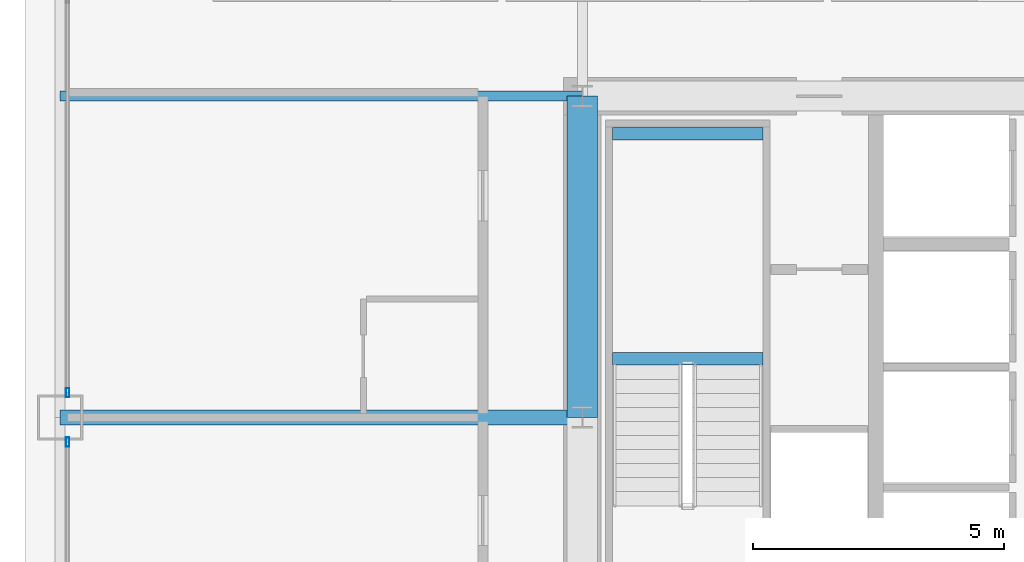
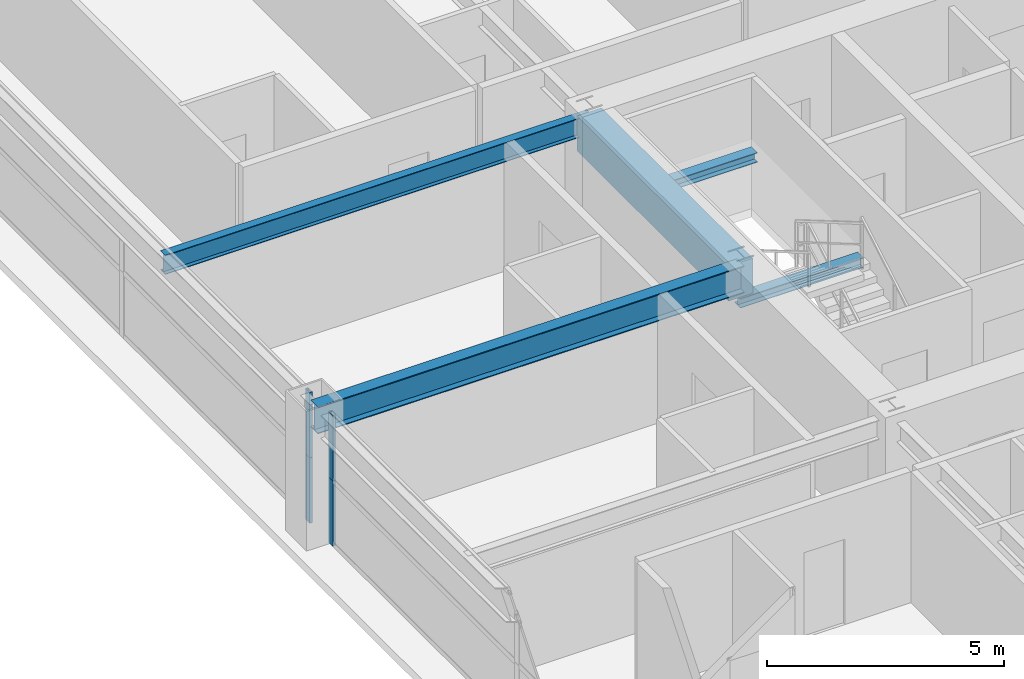
# One storey, part 12 of 43: 5 beams, 4 members, 2 elements without a shape of their own.
"""IFC4 building model written with IfcOpenShell, lengths in metres."""

from ifc_helpers import new_model, si_unit, direction, frame, origin, origin_2d, place, context, subcontext, project, spatial, rectangle, hollow_rectangle, i_section, extrude, source, transform, mapped, material, layer, layer_set, material_profile, profile_set, type_object, element, aggregate, save


model = new_model("IFC4")

# Units and contexts
model_context = context("Model", 3, precision=1e-05, world=origin(), true_north=direction((0.0, 1.0)))
body_context = subcontext(model_context, "Body", "Model", "MODEL_VIEW")
ifc_project = project(units=[si_unit("LENGTHUNIT", "METRE"), si_unit("AREAUNIT", "SQUARE_METRE"), si_unit("VOLUMEUNIT", "CUBIC_METRE"), si_unit("PLANEANGLEUNIT", "RADIAN"), si_unit("MASSUNIT", "GRAM", prefix="KILO"), si_unit("THERMODYNAMICTEMPERATUREUNIT", "KELVIN"), si_unit("POWERUNIT", "WATT")], contexts=[model_context])

# Site, building, storey
site_placement = place(None, origin())
site = spatial("IfcSite", under=ifc_project, at=site_placement, CompositionType="ELEMENT")
building_placement = place(site_placement, origin())
building = spatial("IfcBuilding", under=site, at=building_placement, Name="Yuzanri Waterfront Tower", CompositionType="ELEMENT")
storey_placement = place(building_placement, frame((0.0, 0.0, 93.800048828125)))
storey = spatial("IfcBuildingStorey", under=building, at=storey_placement, Name="L24", CompositionType="ELEMENT", Elevation=93.800048828125)

# Beams
ifc_material_1 = material(Name="Concrete C60", Category="concrete")
ifc_material_profile_1 = material_profile(ifc_material_1, rectangle(XDim=0.60009765625, YDim=0.89990234375, at=origin_2d()), Name="RC 600x900")
ifc_profile_set_1 = profile_set([ifc_material_profile_1], Name="Concrete C60")
beam_type_1 = type_object("IfcBeamType", Name="Core Coupling Lintel Concrete C60 600x900", PredefinedType="LINTEL", material=ifc_profile_set_1)
shared_shape_1 = source(origin(), body_context, "Body", "SweptSolid", [
    extrude(rectangle(XDim=0.60009765625, YDim=0.89990234375, at=origin_2d()), origin(), (0.0, 0.0, 1.0), 6.39990234375),
])
beam_1_placement = place(storey_placement, frame((23.800048828125, 25.800048828125, 2.929931640625), z_axis=(0.0, 1.0, 0.0), x_axis=(-1.0, 0.0, 0.0)))
element("IfcBeam", 1, at=beam_1_placement, inside=storey, type_object=beam_type_1, Name="L24 Core Tie Beam CW2", PredefinedType="LINTEL", context=body_context, shape_type="MappedRepresentation", body=[
    mapped(shared_shape_1, transform((0.0, 0.0, 0.0), scale=1.0)),
])
ifc_material_2 = material(Name="Steel Q355B", Category="steel")
ifc_material_profile_2 = material_profile(ifc_material_2, i_section(OverallWidth=0.300048828125, OverallDepth=0.699951171875, WebThickness=0.012939453125, FlangeThickness=0.02392578125, at=origin_2d()), Name="HN 700x300x13x24")
ifc_profile_set_2 = profile_set([ifc_material_profile_2], Name="Steel Q355B")
beam_type_2 = type_object("IfcBeamType", Name="Primary Floor Girder Q355B HN 700x300", PredefinedType="BEAM", material=ifc_profile_set_2)
shared_shape_2 = source(origin(), body_context, "Body", "SweptSolid", [
    extrude(i_section(OverallWidth=0.300048828125, OverallDepth=0.699951171875, WebThickness=0.012939453125, FlangeThickness=0.02392578125, at=origin_2d()), origin(), (0.0, 0.0, 1.0), 10.400146484375),
])
beam_2_placement = place(storey_placement, frame((23.800048828125, 25.800048828125, 3.030029296875), z_axis=(-1.0, 0.0, 0.0), x_axis=(0.0, -1.0, 0.0)))
element("IfcBeam", 2, at=beam_2_placement, inside=storey, type_object=beam_type_2, Name="L24 West Grid Girder", PredefinedType="BEAM", context=body_context, shape_type="MappedRepresentation", body=[
    mapped(shared_shape_2, transform((0.0, 0.0, 0.0), scale=1.0)),
])
ifc_material_3 = material(Name="Steel Q355B", Category="steel")
ifc_material_profile_3 = material_profile(ifc_material_3, i_section(OverallWidth=0.199951171875, OverallDepth=0.5, WebThickness=0.010009765625, FlangeThickness=0.01611328125, at=origin_2d()), Name="HN 500x200x10x16")
ifc_profile_set_3 = profile_set([ifc_material_profile_3], Name="Steel Q355B")
beam_type_3 = type_object("IfcBeamType", Name="Secondary Floor Beam Q355B HN 500x200", PredefinedType="BEAM", material=ifc_profile_set_3)
shared_shape_3 = source(origin(), body_context, "Body", "SweptSolid", [
    extrude(i_section(OverallWidth=0.199951171875, OverallDepth=0.5, WebThickness=0.010009765625, FlangeThickness=0.01611328125, at=origin_2d()), origin(), (0.0, 0.0, 1.0), 10.400146484375),
])
beam_3_placement = place(storey_placement, frame((23.800048828125, 32.199951171875, 3.1298828125), z_axis=(-1.0, 0.0, 0.0), x_axis=(0.0, -1.0, 0.0)))
element("IfcBeam", 3, at=beam_3_placement, inside=storey, type_object=beam_type_3, Name="L24 West-North Core Line Beam", PredefinedType="BEAM", context=body_context, shape_type="MappedRepresentation", body=[
    mapped(shared_shape_3, transform((0.0, 0.0, 0.0), scale=1.0)),
])

# Curtain wall, members
ifc_material_4 = material(Name="Anodized Architectural Bronze", Category="metal")
ifc_layer = layer(ifc_material_4, 0.159912109375)
ifc_layer_set = layer_set([ifc_layer], Name="Anodized Architectural Bronze")
curtain_wall_type = type_object("IfcCurtainWallType", Name="Anodized Bronze Hotel Upper-Tier Solar-Control Unitized Curtain Wall 7800", PredefinedType="NOTDEFINED", material=ifc_layer_set)
curtain_wall_1_placement = place(storey_placement, origin())
curtain_wall_1 = element("IfcCurtainWall", 4, at=curtain_wall_1_placement, inside=storey, type_object=curtain_wall_type, Name="L24 Curtain Wall CW-L24-WL", PredefinedType="NOTDEFINED")
ifc_material_5 = material(Name="Anodized Architectural Bronze", Category="metal")
ifc_material_profile_4 = material_profile(ifc_material_5, hollow_rectangle(XDim=0.070068359375, YDim=0.179931640625, WallThickness=0.00390625, at=origin_2d()), Name="CWM 70x180")
ifc_profile_set_4 = profile_set([ifc_material_profile_4], Name="Anodized Architectural Bronze")
member_type = type_object("IfcMemberType", Name="Anodized Bronze Standard Curtain-Wall Mullion 70x180", PredefinedType="MULLION", material=ifc_profile_set_4)
shared_shape_4 = source(origin(), body_context, "Body", "SweptSolid", [
    extrude(hollow_rectangle(XDim=0.070068359375, YDim=0.179931640625, WallThickness=0.00390625, at=origin_2d()), origin(), (0.0, 0.0, 1.0), 1.68798828125),
])
member_1_placement = place(storey_placement, frame((13.550048828125, 25.31005859375, 0.0), z_axis=(0.0, 0.0, 1.0), x_axis=(1.0, 0.0, 0.0)))
member_1 = element("IfcMember", 5, at=member_1_placement, type_object=member_type, Name="CW-L24-WL Lower Mullion 02", PredefinedType="MULLION", context=body_context, shape_type="MappedRepresentation", body=[
    mapped(shared_shape_4, transform((0.0, 0.0, 0.0), scale=1.0)),
])
member_2_placement = place(storey_placement, frame((13.550048828125, 25.31005859375, 1.69189453125), z_axis=(0.0, 0.0, 1.0), x_axis=(1.0, 0.0, 0.0)))
member_2 = element("IfcMember", 6, at=member_2_placement, type_object=member_type, Name="CW-L24-WL Upper Mullion 02", PredefinedType="MULLION", context=body_context, shape_type="MappedRepresentation", body=[
    mapped(shared_shape_4, transform((0.0, 0.0, 0.0), scale=1.0)),
])
aggregate(curtain_wall_1, [member_1, member_2])

curtain_wall_2_placement = place(storey_placement, origin())
curtain_wall_2 = element("IfcCurtainWall", 7, at=curtain_wall_2_placement, inside=storey, type_object=curtain_wall_type, Name="L24 Curtain Wall CW-L24-WR", PredefinedType="NOTDEFINED")
member_3_placement = place(storey_placement, frame((13.550048828125, 26.2900390625, 0.0), z_axis=(0.0, 0.0, 1.0), x_axis=(1.0, 0.0, 0.0)))
member_3 = element("IfcMember", 8, at=member_3_placement, type_object=member_type, Name="CW-L24-WR Lower Mullion 00", PredefinedType="MULLION", context=body_context, shape_type="MappedRepresentation", body=[
    mapped(shared_shape_4, transform((0.0, 0.0, 0.0), scale=1.0)),
])
member_4_placement = place(storey_placement, frame((13.550048828125, 26.2900390625, 1.69189453125), z_axis=(0.0, 0.0, 1.0), x_axis=(1.0, 0.0, 0.0)))
member_4 = element("IfcMember", 9, at=member_4_placement, type_object=member_type, Name="CW-L24-WR Upper Mullion 00", PredefinedType="MULLION", context=body_context, shape_type="MappedRepresentation", body=[
    mapped(shared_shape_4, transform((0.0, 0.0, 0.0), scale=1.0)),
])
aggregate(curtain_wall_2, [member_3, member_4])

# Beams
ifc_material_6 = material(Name="Steel Q355B", Category="steel")
ifc_material_profile_5 = material_profile(ifc_material_6, i_section(OverallWidth=0.25, OverallDepth=0.25, WebThickness=0.009033203125, FlangeThickness=0.013916015625, at=origin_2d()), Name="HW 250x250x9x14")
ifc_profile_set_5 = profile_set([ifc_material_profile_5], Name="Steel Q355B")
beam_type_4 = type_object("IfcBeamType", Name="Stair Landing Support Beam Q355B HW 250x250", PredefinedType="BEAM", material=ifc_profile_set_5)
shared_shape_5 = source(origin(), body_context, "Body", "SweptSolid", [
    extrude(i_section(OverallWidth=0.25, OverallDepth=0.25, WebThickness=0.009033203125, FlangeThickness=0.013916015625, at=origin_2d()), origin(), (0.0, 0.0, 1.0), 3.0),
])
for number, where, z_axis, x_axis, name in (
    (10, (24.39990234375, 26.969970703125, 1.474853515625), (1.0, 0.0, 0.0), (0.0, 1.0, 0.0), "L24 Stair Landing Support Beam ST-01-L24-L1-1"),
    (11, (24.39990234375, 31.449951171875, 1.474853515625), (1.0, 0.0, 0.0), (0.0, 1.0, 0.0), "L24 Stair Landing Support Beam ST-01-L24-L1-2"),
):
    element("IfcBeam", number, at=place(storey_placement, frame(where, z_axis=z_axis, x_axis=x_axis)), inside=storey, type_object=beam_type_4, Name=name, PredefinedType="BEAM", context=body_context, shape_type="MappedRepresentation", body=[
        mapped(shared_shape_5, transform((0.0, 0.0, 0.0), scale=1.0)),
    ])

save(model, "model.ifc")
